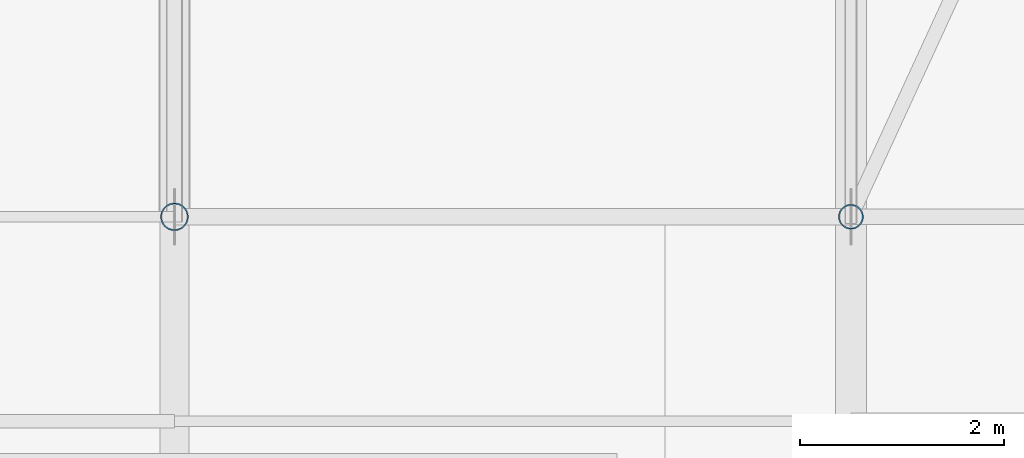
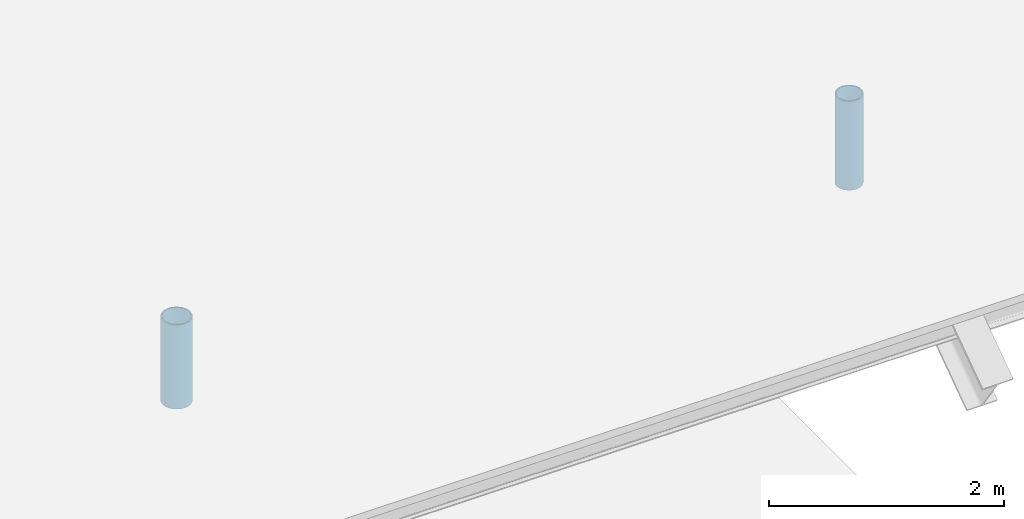
# One storey, part 84 of 134: 2 members.
"""IFC4 building model written with IfcOpenShell, lengths in metres."""

from ifc_helpers import new_model, si_unit, direction, frame, origin, origin_2d, place, context, subcontext, project, spatial, hollow_circle, extrude, material, material_profile, profile_set, type_object, element, save


model = new_model("IFC4")

# Units and contexts
model_context = context("Model", 3, precision=1e-05, world=origin(), true_north=direction((0.0, 1.0)))
body_context = subcontext(model_context, "Body", "Model", "MODEL_VIEW")
ifc_project = project(units=[si_unit("LENGTHUNIT", "METRE"), si_unit("AREAUNIT", "SQUARE_METRE"), si_unit("VOLUMEUNIT", "CUBIC_METRE"), si_unit("PLANEANGLEUNIT", "RADIAN"), si_unit("MASSUNIT", "GRAM", prefix="KILO")], contexts=[model_context])

# Site, building, storey
site_placement = place(None, origin())
site = spatial("IfcSite", under=ifc_project, at=site_placement, CompositionType="ELEMENT")
building_placement = place(site_placement, origin())
building = spatial("IfcBuilding", under=site, at=building_placement, Name="Asteropetra Specialist Clinic", CompositionType="ELEMENT")
storey_placement = place(building_placement, frame((0.0, 0.0, 8.5)))
storey = spatial("IfcBuildingStorey", under=building, at=storey_placement, Name="L02", CompositionType="ELEMENT", Elevation=8.5)

# Members
ifc_material_1 = material(Name="Steel S355", Category="steel")
ifc_material_profile_1 = material_profile(ifc_material_1, hollow_circle(Radius=0.122314453125, WallThickness=0.012451171875, at=origin_2d()), Name="CHS 244.5x12.5")
ifc_profile_set_1 = profile_set([ifc_material_profile_1], Name="Steel S355")
member_type_1 = type_object("IfcMemberType", Name="TR-STR-CHS244", PredefinedType="STRUT", material=ifc_profile_set_1)
member_1_placement = place(storey_placement, frame((126.6201171875, 76.800048828125, 0.419921875), z_axis=(0.0, 0.0, 1.0), x_axis=(1.0, 0.0, 0.0)))
element("IfcMember", 1, at=member_1_placement, inside=storey, type_object=member_type_1, Name="Truss Web Strut TRV1-V07-0", PredefinedType="STRUT", context=body_context, shape_type="SweptSolid", body=[
    extrude(hollow_circle(Radius=0.122314453125, WallThickness=0.012451171875, at=origin_2d()), origin(), (0.0, 0.0, 1.0), 0.9267578125),
])
ifc_material_2 = material(Name="Steel S355", Category="steel")
ifc_material_profile_2 = material_profile(ifc_material_2, hollow_circle(Radius=0.136474609375, WallThickness=0.012451171875, at=origin_2d()), Name="CHS 273.0x12.5")
ifc_profile_set_2 = profile_set([ifc_material_profile_2], Name="Steel S355")
member_type_2 = type_object("IfcMemberType", Name="TR-STR-CHS273", PredefinedType="STRUT", material=ifc_profile_set_2)
member_2_placement = place(storey_placement, frame((120.0, 76.800048828125, 0.469970703125), z_axis=(0.0, 0.0, 1.0), x_axis=(1.0, 0.0, 0.0)))
element("IfcMember", 2, at=member_2_placement, inside=storey, type_object=member_type_2, Name="Truss Web Strut TRV1-V06-0", PredefinedType="STRUT", context=body_context, shape_type="SweptSolid", body=[
    extrude(hollow_circle(Radius=0.136474609375, WallThickness=0.012451171875, at=origin_2d()), origin(), (0.0, 0.0, 1.0), 0.876708984375),
])

save(model, "model.ifc")
